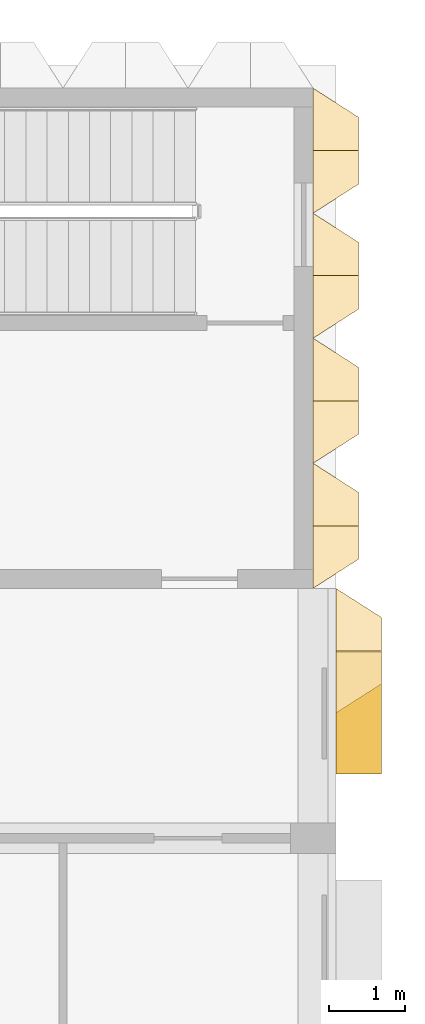
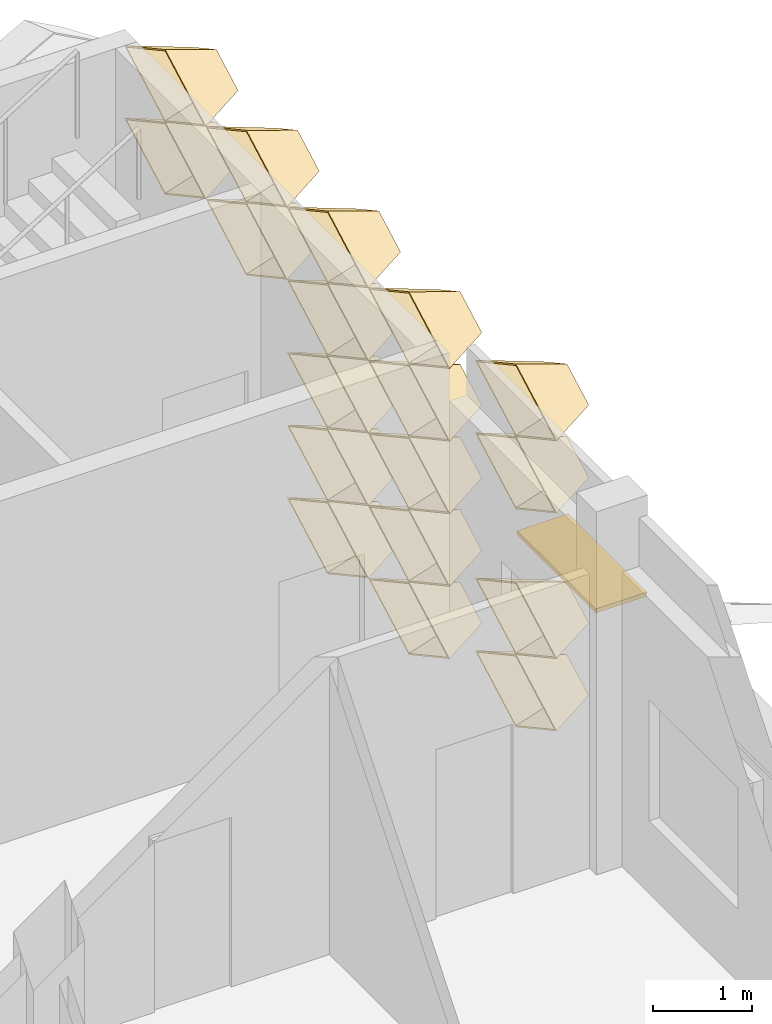
# One storey, part 86 of 87: 18 coverings, 1 shading device.
"""IFC4 building model written with IfcOpenShell, lengths in metres."""

from ifc_helpers import new_model, entity, si_unit, direction, frame, origin, origin_2d, place, context, subcontext, project, spatial, rectangle, extrude, material, layer, layer_set, type_object, element, save


model = new_model("IFC4")

# Units and contexts
model_context = context("Model", 3, precision=1e-05, world=origin(), true_north=direction((0.0, 1.0)))
body_context = subcontext(model_context, "Body", "Model", "MODEL_VIEW")
ifc_project = project(units=[si_unit("LENGTHUNIT", "METRE"), si_unit("AREAUNIT", "SQUARE_METRE"), si_unit("VOLUMEUNIT", "CUBIC_METRE"), si_unit("PLANEANGLEUNIT", "RADIAN"), si_unit("MASSUNIT", "GRAM", prefix="KILO")], contexts=[model_context])

# Site, building, storey
site_placement = place(None, origin())
site = spatial("IfcSite", under=ifc_project, at=site_placement, CompositionType="ELEMENT")
building_placement = place(site_placement, origin())
building = spatial("IfcBuilding", under=site, at=building_placement, Name="Lantern Court Research Institute", CompositionType="ELEMENT")
storey_placement = place(building_placement, frame((0.0, 0.0, 5.39990234375)))
storey = spatial("IfcBuildingStorey", under=building, at=storey_placement, Name="L01", CompositionType="ELEMENT", Elevation=5.39990234375)

# Shading device
ifc_material_1 = material(Name="Aluminium alloy 6063-T6", Category="aluminium")
ifc_layer_1 = layer(ifc_material_1, 0.050048828125)
ifc_layer_set_1 = layer_set([ifc_layer_1], Name="Aluminium alloy 6063-T6")
shading_device_type = type_object("IfcShadingDeviceType", Name="Brise-soleil blade 1600 x 600 x 50 aluminium", PredefinedType="USERDEFINED", material=ifc_layer_set_1)
shading_device_placement = place(storey_placement, frame((79.800048828125, 90.75, 2.39990234375), z_axis=(0.0, 0.0, 1.0), x_axis=(0.0, -1.0, 0.0)))
element("IfcShadingDevice", 1, at=shading_device_placement, inside=storey, type_object=shading_device_type, Name="Brise-soleil blade L01 E", ObjectType="LOUVRE", PredefinedType="USERDEFINED", context=body_context, shape_type="SweptSolid", body=[
    extrude(rectangle(XDim=1.60009765625, YDim=0.60009765625, at=origin_2d()), origin(), (0.0, 0.0, 1.0), 0.050048828125),
])

# Coverings
ifc_material_2 = material(Name="Anodised aluminium", Category="aluminium")
ifc_layer_2 = layer(ifc_material_2, 0.01611328125)
ifc_layer_set_2 = layer_set([ifc_layer_2], Name="Anodised aluminium")
covering_type = type_object("IfcCoveringType", Name="Fin cassette 1650 x 900 x 600 aluminium", PredefinedType="CLADDING", material=ifc_layer_set_2)
covering_1_placement = place(storey_placement, frame((79.199951171875, 93.22509765625, 0.4501953125), z_axis=(1.0, 0.0, 0.0), x_axis=(0.0, 1.0, 0.0)))
cartesian_point_1 = entity("IfcCartesianPoint", [0.824951171875, 0.0])
cartesian_point_2 = entity("IfcCartesianPoint", [0.79150390625, 0.0])
cartesian_point_3 = entity("IfcCartesianPoint", [0.44189453125, 0.0])
cartesian_point_4 = entity("IfcCartesianPoint", [0.43359375, 0.0])
element("IfcCovering", 2, at=covering_1_placement, inside=storey, type_object=covering_type, Name="Fin cassette V6E-L01 1.57", PredefinedType="CLADDING", context=body_context, shape_type="SweptSolid", body=[
    entity("IfcExtrudedAreaSolidTapered", entity("IfcArbitraryProfileDefWithVoids", "AREA", None, entity("IfcPolyline", [cartesian_point_1, entity("IfcCartesianPoint", [0.0, 0.449951171875]), entity("IfcCartesianPoint", [-0.824951171875, 0.0]), entity("IfcCartesianPoint", [0.0, -0.449951171875]), cartesian_point_1]), [entity("IfcPolyline", [cartesian_point_2, entity("IfcCartesianPoint", [0.0, 0.431884765625]), entity("IfcCartesianPoint", [-0.79150390625, 0.0]), entity("IfcCartesianPoint", [0.0, -0.431884765625]), cartesian_point_2])]), entity("IfcAxis2Placement3D", entity("IfcCartesianPoint", [0.0, 0.0, 0.0])), entity("IfcDirection", [0.0, 0.0, 1.0]), 0.60009765625, entity("IfcArbitraryProfileDefWithVoids", "AREA", None, entity("IfcPolyline", [cartesian_point_3, entity("IfcCartesianPoint", [0.0, 0.240966796875]), entity("IfcCartesianPoint", [-0.44189453125, 0.0]), entity("IfcCartesianPoint", [0.0, -0.240966796875]), cartesian_point_3]), [entity("IfcPolyline", [cartesian_point_4, entity("IfcCartesianPoint", [0.0, 0.236572265625]), entity("IfcCartesianPoint", [-0.43359375, 0.0]), entity("IfcCartesianPoint", [0.0, -0.236572265625]), cartesian_point_4])])),
])
covering_2_placement = place(storey_placement, frame((79.199951171875, 94.875, 0.4501953125), z_axis=(1.0, 0.0, 0.0), x_axis=(0.0, 1.0, 0.0)))
cartesian_point_5 = entity("IfcCartesianPoint", [0.824951171875, 0.0])
cartesian_point_6 = entity("IfcCartesianPoint", [0.79150390625, 0.0])
cartesian_point_7 = entity("IfcCartesianPoint", [0.44189453125, 0.0])
cartesian_point_8 = entity("IfcCartesianPoint", [0.43359375, 0.0])
element("IfcCovering", 3, at=covering_2_placement, inside=storey, type_object=covering_type, Name="Fin cassette V6E-L01 1.58", PredefinedType="CLADDING", context=body_context, shape_type="SweptSolid", body=[
    entity("IfcExtrudedAreaSolidTapered", entity("IfcArbitraryProfileDefWithVoids", "AREA", None, entity("IfcPolyline", [cartesian_point_5, entity("IfcCartesianPoint", [0.0, 0.449951171875]), entity("IfcCartesianPoint", [-0.824951171875, 0.0]), entity("IfcCartesianPoint", [0.0, -0.449951171875]), cartesian_point_5]), [entity("IfcPolyline", [cartesian_point_6, entity("IfcCartesianPoint", [0.0, 0.431884765625]), entity("IfcCartesianPoint", [-0.79150390625, 0.0]), entity("IfcCartesianPoint", [0.0, -0.431884765625]), cartesian_point_6])]), entity("IfcAxis2Placement3D", entity("IfcCartesianPoint", [0.0, 0.0, 0.0])), entity("IfcDirection", [0.0, 0.0, 1.0]), 0.60009765625, entity("IfcArbitraryProfileDefWithVoids", "AREA", None, entity("IfcPolyline", [cartesian_point_7, entity("IfcCartesianPoint", [0.0, 0.240966796875]), entity("IfcCartesianPoint", [-0.44189453125, 0.0]), entity("IfcCartesianPoint", [0.0, -0.240966796875]), cartesian_point_7]), [entity("IfcPolyline", [cartesian_point_8, entity("IfcCartesianPoint", [0.0, 0.236572265625]), entity("IfcCartesianPoint", [-0.43359375, 0.0]), entity("IfcCartesianPoint", [0.0, -0.236572265625]), cartesian_point_8])])),
])
covering_3_placement = place(storey_placement, frame((79.199951171875, 93.22509765625, 1.35009765625), z_axis=(1.0, 0.0, 0.0), x_axis=(0.0, 1.0, 0.0)))
cartesian_point_9 = entity("IfcCartesianPoint", [0.824951171875, 0.0])
cartesian_point_10 = entity("IfcCartesianPoint", [0.79150390625, 0.0])
cartesian_point_11 = entity("IfcCartesianPoint", [0.44189453125, 0.0])
cartesian_point_12 = entity("IfcCartesianPoint", [0.43359375, 0.0])
element("IfcCovering", 4, at=covering_3_placement, inside=storey, type_object=covering_type, Name="Fin cassette V6E-L01 2.57", PredefinedType="CLADDING", context=body_context, shape_type="SweptSolid", body=[
    entity("IfcExtrudedAreaSolidTapered", entity("IfcArbitraryProfileDefWithVoids", "AREA", None, entity("IfcPolyline", [cartesian_point_9, entity("IfcCartesianPoint", [0.0, 0.449951171875]), entity("IfcCartesianPoint", [-0.824951171875, 0.0]), entity("IfcCartesianPoint", [0.0, -0.449951171875]), cartesian_point_9]), [entity("IfcPolyline", [cartesian_point_10, entity("IfcCartesianPoint", [0.0, 0.431884765625]), entity("IfcCartesianPoint", [-0.79150390625, 0.0]), entity("IfcCartesianPoint", [0.0, -0.431884765625]), cartesian_point_10])]), entity("IfcAxis2Placement3D", entity("IfcCartesianPoint", [0.0, 0.0, 0.0])), entity("IfcDirection", [0.0, 0.0, 1.0]), 0.60009765625, entity("IfcArbitraryProfileDefWithVoids", "AREA", None, entity("IfcPolyline", [cartesian_point_11, entity("IfcCartesianPoint", [0.0, 0.240966796875]), entity("IfcCartesianPoint", [-0.44189453125, 0.0]), entity("IfcCartesianPoint", [0.0, -0.240966796875]), cartesian_point_11]), [entity("IfcPolyline", [cartesian_point_12, entity("IfcCartesianPoint", [0.0, 0.236572265625]), entity("IfcCartesianPoint", [-0.43359375, 0.0]), entity("IfcCartesianPoint", [0.0, -0.236572265625]), cartesian_point_12])])),
])
covering_4_placement = place(storey_placement, frame((79.199951171875, 94.875, 1.35009765625), z_axis=(1.0, 0.0, 0.0), x_axis=(0.0, 1.0, 0.0)))
cartesian_point_13 = entity("IfcCartesianPoint", [0.824951171875, 0.0])
cartesian_point_14 = entity("IfcCartesianPoint", [0.79150390625, 0.0])
cartesian_point_15 = entity("IfcCartesianPoint", [0.44189453125, 0.0])
cartesian_point_16 = entity("IfcCartesianPoint", [0.43359375, 0.0])
element("IfcCovering", 5, at=covering_4_placement, inside=storey, type_object=covering_type, Name="Fin cassette V6E-L01 2.58", PredefinedType="CLADDING", context=body_context, shape_type="SweptSolid", body=[
    entity("IfcExtrudedAreaSolidTapered", entity("IfcArbitraryProfileDefWithVoids", "AREA", None, entity("IfcPolyline", [cartesian_point_13, entity("IfcCartesianPoint", [0.0, 0.449951171875]), entity("IfcCartesianPoint", [-0.824951171875, 0.0]), entity("IfcCartesianPoint", [0.0, -0.449951171875]), cartesian_point_13]), [entity("IfcPolyline", [cartesian_point_14, entity("IfcCartesianPoint", [0.0, 0.431884765625]), entity("IfcCartesianPoint", [-0.79150390625, 0.0]), entity("IfcCartesianPoint", [0.0, -0.431884765625]), cartesian_point_14])]), entity("IfcAxis2Placement3D", entity("IfcCartesianPoint", [0.0, 0.0, 0.0])), entity("IfcDirection", [0.0, 0.0, 1.0]), 0.60009765625, entity("IfcArbitraryProfileDefWithVoids", "AREA", None, entity("IfcPolyline", [cartesian_point_15, entity("IfcCartesianPoint", [0.0, 0.240966796875]), entity("IfcCartesianPoint", [-0.44189453125, 0.0]), entity("IfcCartesianPoint", [0.0, -0.240966796875]), cartesian_point_15]), [entity("IfcPolyline", [cartesian_point_16, entity("IfcCartesianPoint", [0.0, 0.236572265625]), entity("IfcCartesianPoint", [-0.43359375, 0.0]), entity("IfcCartesianPoint", [0.0, -0.236572265625]), cartesian_point_16])])),
])
covering_5_placement = place(storey_placement, frame((79.199951171875, 93.22509765625, 2.25), z_axis=(1.0, 0.0, 0.0), x_axis=(0.0, 1.0, 0.0)))
cartesian_point_17 = entity("IfcCartesianPoint", [0.824951171875, 0.0])
cartesian_point_18 = entity("IfcCartesianPoint", [0.79150390625, 0.0])
cartesian_point_19 = entity("IfcCartesianPoint", [0.44189453125, 0.0])
cartesian_point_20 = entity("IfcCartesianPoint", [0.43359375, 0.0])
element("IfcCovering", 6, at=covering_5_placement, inside=storey, type_object=covering_type, Name="Fin cassette V6E-L01 3.57", PredefinedType="CLADDING", context=body_context, shape_type="SweptSolid", body=[
    entity("IfcExtrudedAreaSolidTapered", entity("IfcArbitraryProfileDefWithVoids", "AREA", None, entity("IfcPolyline", [cartesian_point_17, entity("IfcCartesianPoint", [0.0, 0.449951171875]), entity("IfcCartesianPoint", [-0.824951171875, 0.0]), entity("IfcCartesianPoint", [0.0, -0.449951171875]), cartesian_point_17]), [entity("IfcPolyline", [cartesian_point_18, entity("IfcCartesianPoint", [0.0, 0.431884765625]), entity("IfcCartesianPoint", [-0.79150390625, 0.0]), entity("IfcCartesianPoint", [0.0, -0.431884765625]), cartesian_point_18])]), entity("IfcAxis2Placement3D", entity("IfcCartesianPoint", [0.0, 0.0, 0.0])), entity("IfcDirection", [0.0, 0.0, 1.0]), 0.60009765625, entity("IfcArbitraryProfileDefWithVoids", "AREA", None, entity("IfcPolyline", [cartesian_point_19, entity("IfcCartesianPoint", [0.0, 0.240966796875]), entity("IfcCartesianPoint", [-0.44189453125, 0.0]), entity("IfcCartesianPoint", [0.0, -0.240966796875]), cartesian_point_19]), [entity("IfcPolyline", [cartesian_point_20, entity("IfcCartesianPoint", [0.0, 0.236572265625]), entity("IfcCartesianPoint", [-0.43359375, 0.0]), entity("IfcCartesianPoint", [0.0, -0.236572265625]), cartesian_point_20])])),
])
covering_6_placement = place(storey_placement, frame((79.199951171875, 94.875, 2.25), z_axis=(1.0, 0.0, 0.0), x_axis=(0.0, 1.0, 0.0)))
cartesian_point_21 = entity("IfcCartesianPoint", [0.824951171875, 0.0])
cartesian_point_22 = entity("IfcCartesianPoint", [0.79150390625, 0.0])
cartesian_point_23 = entity("IfcCartesianPoint", [0.44189453125, 0.0])
cartesian_point_24 = entity("IfcCartesianPoint", [0.43359375, 0.0])
element("IfcCovering", 7, at=covering_6_placement, inside=storey, type_object=covering_type, Name="Fin cassette V6E-L01 3.58", PredefinedType="CLADDING", context=body_context, shape_type="SweptSolid", body=[
    entity("IfcExtrudedAreaSolidTapered", entity("IfcArbitraryProfileDefWithVoids", "AREA", None, entity("IfcPolyline", [cartesian_point_21, entity("IfcCartesianPoint", [0.0, 0.449951171875]), entity("IfcCartesianPoint", [-0.824951171875, 0.0]), entity("IfcCartesianPoint", [0.0, -0.449951171875]), cartesian_point_21]), [entity("IfcPolyline", [cartesian_point_22, entity("IfcCartesianPoint", [0.0, 0.431884765625]), entity("IfcCartesianPoint", [-0.79150390625, 0.0]), entity("IfcCartesianPoint", [0.0, -0.431884765625]), cartesian_point_22])]), entity("IfcAxis2Placement3D", entity("IfcCartesianPoint", [0.0, 0.0, 0.0])), entity("IfcDirection", [0.0, 0.0, 1.0]), 0.60009765625, entity("IfcArbitraryProfileDefWithVoids", "AREA", None, entity("IfcPolyline", [cartesian_point_23, entity("IfcCartesianPoint", [0.0, 0.240966796875]), entity("IfcCartesianPoint", [-0.44189453125, 0.0]), entity("IfcCartesianPoint", [0.0, -0.240966796875]), cartesian_point_23]), [entity("IfcPolyline", [cartesian_point_24, entity("IfcCartesianPoint", [0.0, 0.236572265625]), entity("IfcCartesianPoint", [-0.43359375, 0.0]), entity("IfcCartesianPoint", [0.0, -0.236572265625]), cartesian_point_24])])),
])
covering_7_placement = place(storey_placement, frame((79.199951171875, 93.22509765625, 3.150146484375), z_axis=(1.0, 0.0, 0.0), x_axis=(0.0, 1.0, 0.0)))
cartesian_point_25 = entity("IfcCartesianPoint", [0.824951171875, 0.0])
cartesian_point_26 = entity("IfcCartesianPoint", [0.79150390625, 0.0])
cartesian_point_27 = entity("IfcCartesianPoint", [0.44189453125, 0.0])
cartesian_point_28 = entity("IfcCartesianPoint", [0.43359375, 0.0])
element("IfcCovering", 8, at=covering_7_placement, inside=storey, type_object=covering_type, Name="Fin cassette V6E-L01 4.57", PredefinedType="CLADDING", context=body_context, shape_type="SweptSolid", body=[
    entity("IfcExtrudedAreaSolidTapered", entity("IfcArbitraryProfileDefWithVoids", "AREA", None, entity("IfcPolyline", [cartesian_point_25, entity("IfcCartesianPoint", [0.0, 0.449951171875]), entity("IfcCartesianPoint", [-0.824951171875, 0.0]), entity("IfcCartesianPoint", [0.0, -0.449951171875]), cartesian_point_25]), [entity("IfcPolyline", [cartesian_point_26, entity("IfcCartesianPoint", [0.0, 0.431884765625]), entity("IfcCartesianPoint", [-0.79150390625, 0.0]), entity("IfcCartesianPoint", [0.0, -0.431884765625]), cartesian_point_26])]), entity("IfcAxis2Placement3D", entity("IfcCartesianPoint", [0.0, 0.0, 0.0])), entity("IfcDirection", [0.0, 0.0, 1.0]), 0.60009765625, entity("IfcArbitraryProfileDefWithVoids", "AREA", None, entity("IfcPolyline", [cartesian_point_27, entity("IfcCartesianPoint", [0.0, 0.240966796875]), entity("IfcCartesianPoint", [-0.44189453125, 0.0]), entity("IfcCartesianPoint", [0.0, -0.240966796875]), cartesian_point_27]), [entity("IfcPolyline", [cartesian_point_28, entity("IfcCartesianPoint", [0.0, 0.236572265625]), entity("IfcCartesianPoint", [-0.43359375, 0.0]), entity("IfcCartesianPoint", [0.0, -0.236572265625]), cartesian_point_28])])),
])
covering_8_placement = place(storey_placement, frame((79.199951171875, 94.875, 3.150146484375), z_axis=(1.0, 0.0, 0.0), x_axis=(0.0, 1.0, 0.0)))
cartesian_point_29 = entity("IfcCartesianPoint", [0.824951171875, 0.0])
cartesian_point_30 = entity("IfcCartesianPoint", [0.79150390625, 0.0])
cartesian_point_31 = entity("IfcCartesianPoint", [0.44189453125, 0.0])
cartesian_point_32 = entity("IfcCartesianPoint", [0.43359375, 0.0])
element("IfcCovering", 9, at=covering_8_placement, inside=storey, type_object=covering_type, Name="Fin cassette V6E-L01 4.58", PredefinedType="CLADDING", context=body_context, shape_type="SweptSolid", body=[
    entity("IfcExtrudedAreaSolidTapered", entity("IfcArbitraryProfileDefWithVoids", "AREA", None, entity("IfcPolyline", [cartesian_point_29, entity("IfcCartesianPoint", [0.0, 0.449951171875]), entity("IfcCartesianPoint", [-0.824951171875, 0.0]), entity("IfcCartesianPoint", [0.0, -0.449951171875]), cartesian_point_29]), [entity("IfcPolyline", [cartesian_point_30, entity("IfcCartesianPoint", [0.0, 0.431884765625]), entity("IfcCartesianPoint", [-0.79150390625, 0.0]), entity("IfcCartesianPoint", [0.0, -0.431884765625]), cartesian_point_30])]), entity("IfcAxis2Placement3D", entity("IfcCartesianPoint", [0.0, 0.0, 0.0])), entity("IfcDirection", [0.0, 0.0, 1.0]), 0.60009765625, entity("IfcArbitraryProfileDefWithVoids", "AREA", None, entity("IfcPolyline", [cartesian_point_31, entity("IfcCartesianPoint", [0.0, 0.240966796875]), entity("IfcCartesianPoint", [-0.44189453125, 0.0]), entity("IfcCartesianPoint", [0.0, -0.240966796875]), cartesian_point_31]), [entity("IfcPolyline", [cartesian_point_32, entity("IfcCartesianPoint", [0.0, 0.236572265625]), entity("IfcCartesianPoint", [-0.43359375, 0.0]), entity("IfcCartesianPoint", [0.0, -0.236572265625]), cartesian_point_32])])),
])
covering_9_placement = place(storey_placement, frame((79.199951171875, 96.52490234375, 3.150146484375), z_axis=(1.0, 0.0, 0.0), x_axis=(0.0, 1.0, 0.0)))
cartesian_point_33 = entity("IfcCartesianPoint", [0.824951171875, 0.0])
cartesian_point_34 = entity("IfcCartesianPoint", [0.79150390625, 0.0])
cartesian_point_35 = entity("IfcCartesianPoint", [0.44189453125, 0.0])
cartesian_point_36 = entity("IfcCartesianPoint", [0.43359375, 0.0])
element("IfcCovering", 10, at=covering_9_placement, inside=storey, type_object=covering_type, Name="Fin cassette V6E-L01 4.59", PredefinedType="CLADDING", context=body_context, shape_type="SweptSolid", body=[
    entity("IfcExtrudedAreaSolidTapered", entity("IfcArbitraryProfileDefWithVoids", "AREA", None, entity("IfcPolyline", [cartesian_point_33, entity("IfcCartesianPoint", [0.0, 0.449951171875]), entity("IfcCartesianPoint", [-0.824951171875, 0.0]), entity("IfcCartesianPoint", [0.0, -0.449951171875]), cartesian_point_33]), [entity("IfcPolyline", [cartesian_point_34, entity("IfcCartesianPoint", [0.0, 0.431884765625]), entity("IfcCartesianPoint", [-0.79150390625, 0.0]), entity("IfcCartesianPoint", [0.0, -0.431884765625]), cartesian_point_34])]), entity("IfcAxis2Placement3D", entity("IfcCartesianPoint", [0.0, 0.0, 0.0])), entity("IfcDirection", [0.0, 0.0, 1.0]), 0.60009765625, entity("IfcArbitraryProfileDefWithVoids", "AREA", None, entity("IfcPolyline", [cartesian_point_35, entity("IfcCartesianPoint", [0.0, 0.240966796875]), entity("IfcCartesianPoint", [-0.44189453125, 0.0]), entity("IfcCartesianPoint", [0.0, -0.240966796875]), cartesian_point_35]), [entity("IfcPolyline", [cartesian_point_36, entity("IfcCartesianPoint", [0.0, 0.236572265625]), entity("IfcCartesianPoint", [-0.43359375, 0.0]), entity("IfcCartesianPoint", [0.0, -0.236572265625]), cartesian_point_36])])),
])
covering_10_placement = place(storey_placement, frame((79.199951171875, 98.175048828125, 3.150146484375), z_axis=(1.0, 0.0, 0.0), x_axis=(0.0, 1.0, 0.0)))
cartesian_point_37 = entity("IfcCartesianPoint", [0.824951171875, 0.0])
cartesian_point_38 = entity("IfcCartesianPoint", [0.79150390625, 0.0])
cartesian_point_39 = entity("IfcCartesianPoint", [0.44189453125, 0.0])
cartesian_point_40 = entity("IfcCartesianPoint", [0.43359375, 0.0])
element("IfcCovering", 11, at=covering_10_placement, inside=storey, type_object=covering_type, Name="Fin cassette V6E-L01 4.60", PredefinedType="CLADDING", context=body_context, shape_type="SweptSolid", body=[
    entity("IfcExtrudedAreaSolidTapered", entity("IfcArbitraryProfileDefWithVoids", "AREA", None, entity("IfcPolyline", [cartesian_point_37, entity("IfcCartesianPoint", [0.0, 0.449951171875]), entity("IfcCartesianPoint", [-0.824951171875, 0.0]), entity("IfcCartesianPoint", [0.0, -0.449951171875]), cartesian_point_37]), [entity("IfcPolyline", [cartesian_point_38, entity("IfcCartesianPoint", [0.0, 0.431884765625]), entity("IfcCartesianPoint", [-0.79150390625, 0.0]), entity("IfcCartesianPoint", [0.0, -0.431884765625]), cartesian_point_38])]), entity("IfcAxis2Placement3D", entity("IfcCartesianPoint", [0.0, 0.0, 0.0])), entity("IfcDirection", [0.0, 0.0, 1.0]), 0.60009765625, entity("IfcArbitraryProfileDefWithVoids", "AREA", None, entity("IfcPolyline", [cartesian_point_39, entity("IfcCartesianPoint", [0.0, 0.240966796875]), entity("IfcCartesianPoint", [-0.44189453125, 0.0]), entity("IfcCartesianPoint", [0.0, -0.240966796875]), cartesian_point_39]), [entity("IfcPolyline", [cartesian_point_40, entity("IfcCartesianPoint", [0.0, 0.236572265625]), entity("IfcCartesianPoint", [-0.43359375, 0.0]), entity("IfcCartesianPoint", [0.0, -0.236572265625]), cartesian_point_40])])),
])
covering_11_placement = place(storey_placement, frame((79.199951171875, 93.22509765625, 4.050048828125), z_axis=(1.0, 0.0, 0.0), x_axis=(0.0, 1.0, 0.0)))
cartesian_point_41 = entity("IfcCartesianPoint", [0.824951171875, 0.0])
cartesian_point_42 = entity("IfcCartesianPoint", [0.79150390625, 0.0])
cartesian_point_43 = entity("IfcCartesianPoint", [0.44189453125, 0.0])
cartesian_point_44 = entity("IfcCartesianPoint", [0.43359375, 0.0])
element("IfcCovering", 12, at=covering_11_placement, inside=storey, type_object=covering_type, Name="Fin cassette V6E-L01 5.57", PredefinedType="CLADDING", context=body_context, shape_type="SweptSolid", body=[
    entity("IfcExtrudedAreaSolidTapered", entity("IfcArbitraryProfileDefWithVoids", "AREA", None, entity("IfcPolyline", [cartesian_point_41, entity("IfcCartesianPoint", [0.0, 0.449951171875]), entity("IfcCartesianPoint", [-0.824951171875, 0.0]), entity("IfcCartesianPoint", [0.0, -0.449951171875]), cartesian_point_41]), [entity("IfcPolyline", [cartesian_point_42, entity("IfcCartesianPoint", [0.0, 0.431884765625]), entity("IfcCartesianPoint", [-0.79150390625, 0.0]), entity("IfcCartesianPoint", [0.0, -0.431884765625]), cartesian_point_42])]), entity("IfcAxis2Placement3D", entity("IfcCartesianPoint", [0.0, 0.0, 0.0])), entity("IfcDirection", [0.0, 0.0, 1.0]), 0.60009765625, entity("IfcArbitraryProfileDefWithVoids", "AREA", None, entity("IfcPolyline", [cartesian_point_43, entity("IfcCartesianPoint", [0.0, 0.240966796875]), entity("IfcCartesianPoint", [-0.44189453125, 0.0]), entity("IfcCartesianPoint", [0.0, -0.240966796875]), cartesian_point_43]), [entity("IfcPolyline", [cartesian_point_44, entity("IfcCartesianPoint", [0.0, 0.236572265625]), entity("IfcCartesianPoint", [-0.43359375, 0.0]), entity("IfcCartesianPoint", [0.0, -0.236572265625]), cartesian_point_44])])),
])
covering_12_placement = place(storey_placement, frame((79.199951171875, 94.875, 4.050048828125), z_axis=(1.0, 0.0, 0.0), x_axis=(0.0, 1.0, 0.0)))
cartesian_point_45 = entity("IfcCartesianPoint", [0.824951171875, 0.0])
cartesian_point_46 = entity("IfcCartesianPoint", [0.79150390625, 0.0])
cartesian_point_47 = entity("IfcCartesianPoint", [0.44189453125, 0.0])
cartesian_point_48 = entity("IfcCartesianPoint", [0.43359375, 0.0])
element("IfcCovering", 13, at=covering_12_placement, inside=storey, type_object=covering_type, Name="Fin cassette V6E-L01 5.58", PredefinedType="CLADDING", context=body_context, shape_type="SweptSolid", body=[
    entity("IfcExtrudedAreaSolidTapered", entity("IfcArbitraryProfileDefWithVoids", "AREA", None, entity("IfcPolyline", [cartesian_point_45, entity("IfcCartesianPoint", [0.0, 0.449951171875]), entity("IfcCartesianPoint", [-0.824951171875, 0.0]), entity("IfcCartesianPoint", [0.0, -0.449951171875]), cartesian_point_45]), [entity("IfcPolyline", [cartesian_point_46, entity("IfcCartesianPoint", [0.0, 0.431884765625]), entity("IfcCartesianPoint", [-0.79150390625, 0.0]), entity("IfcCartesianPoint", [0.0, -0.431884765625]), cartesian_point_46])]), entity("IfcAxis2Placement3D", entity("IfcCartesianPoint", [0.0, 0.0, 0.0])), entity("IfcDirection", [0.0, 0.0, 1.0]), 0.60009765625, entity("IfcArbitraryProfileDefWithVoids", "AREA", None, entity("IfcPolyline", [cartesian_point_47, entity("IfcCartesianPoint", [0.0, 0.240966796875]), entity("IfcCartesianPoint", [-0.44189453125, 0.0]), entity("IfcCartesianPoint", [0.0, -0.240966796875]), cartesian_point_47]), [entity("IfcPolyline", [cartesian_point_48, entity("IfcCartesianPoint", [0.0, 0.236572265625]), entity("IfcCartesianPoint", [-0.43359375, 0.0]), entity("IfcCartesianPoint", [0.0, -0.236572265625]), cartesian_point_48])])),
])
covering_13_placement = place(storey_placement, frame((79.199951171875, 96.52490234375, 4.050048828125), z_axis=(1.0, 0.0, 0.0), x_axis=(0.0, 1.0, 0.0)))
cartesian_point_49 = entity("IfcCartesianPoint", [0.824951171875, 0.0])
cartesian_point_50 = entity("IfcCartesianPoint", [0.79150390625, 0.0])
cartesian_point_51 = entity("IfcCartesianPoint", [0.44189453125, 0.0])
cartesian_point_52 = entity("IfcCartesianPoint", [0.43359375, 0.0])
element("IfcCovering", 14, at=covering_13_placement, inside=storey, type_object=covering_type, Name="Fin cassette V6E-L01 5.59", PredefinedType="CLADDING", context=body_context, shape_type="SweptSolid", body=[
    entity("IfcExtrudedAreaSolidTapered", entity("IfcArbitraryProfileDefWithVoids", "AREA", None, entity("IfcPolyline", [cartesian_point_49, entity("IfcCartesianPoint", [0.0, 0.449951171875]), entity("IfcCartesianPoint", [-0.824951171875, 0.0]), entity("IfcCartesianPoint", [0.0, -0.449951171875]), cartesian_point_49]), [entity("IfcPolyline", [cartesian_point_50, entity("IfcCartesianPoint", [0.0, 0.431884765625]), entity("IfcCartesianPoint", [-0.79150390625, 0.0]), entity("IfcCartesianPoint", [0.0, -0.431884765625]), cartesian_point_50])]), entity("IfcAxis2Placement3D", entity("IfcCartesianPoint", [0.0, 0.0, 0.0])), entity("IfcDirection", [0.0, 0.0, 1.0]), 0.60009765625, entity("IfcArbitraryProfileDefWithVoids", "AREA", None, entity("IfcPolyline", [cartesian_point_51, entity("IfcCartesianPoint", [0.0, 0.240966796875]), entity("IfcCartesianPoint", [-0.44189453125, 0.0]), entity("IfcCartesianPoint", [0.0, -0.240966796875]), cartesian_point_51]), [entity("IfcPolyline", [cartesian_point_52, entity("IfcCartesianPoint", [0.0, 0.236572265625]), entity("IfcCartesianPoint", [-0.43359375, 0.0]), entity("IfcCartesianPoint", [0.0, -0.236572265625]), cartesian_point_52])])),
])
covering_14_placement = place(storey_placement, frame((79.199951171875, 98.175048828125, 4.050048828125), z_axis=(1.0, 0.0, 0.0), x_axis=(0.0, 1.0, 0.0)))
cartesian_point_53 = entity("IfcCartesianPoint", [0.824951171875, 0.0])
cartesian_point_54 = entity("IfcCartesianPoint", [0.79150390625, 0.0])
cartesian_point_55 = entity("IfcCartesianPoint", [0.44189453125, 0.0])
cartesian_point_56 = entity("IfcCartesianPoint", [0.43359375, 0.0])
element("IfcCovering", 15, at=covering_14_placement, inside=storey, type_object=covering_type, Name="Fin cassette V6E-L01 5.60", PredefinedType="CLADDING", context=body_context, shape_type="SweptSolid", body=[
    entity("IfcExtrudedAreaSolidTapered", entity("IfcArbitraryProfileDefWithVoids", "AREA", None, entity("IfcPolyline", [cartesian_point_53, entity("IfcCartesianPoint", [0.0, 0.449951171875]), entity("IfcCartesianPoint", [-0.824951171875, 0.0]), entity("IfcCartesianPoint", [0.0, -0.449951171875]), cartesian_point_53]), [entity("IfcPolyline", [cartesian_point_54, entity("IfcCartesianPoint", [0.0, 0.431884765625]), entity("IfcCartesianPoint", [-0.79150390625, 0.0]), entity("IfcCartesianPoint", [0.0, -0.431884765625]), cartesian_point_54])]), entity("IfcAxis2Placement3D", entity("IfcCartesianPoint", [0.0, 0.0, 0.0])), entity("IfcDirection", [0.0, 0.0, 1.0]), 0.60009765625, entity("IfcArbitraryProfileDefWithVoids", "AREA", None, entity("IfcPolyline", [cartesian_point_55, entity("IfcCartesianPoint", [0.0, 0.240966796875]), entity("IfcCartesianPoint", [-0.44189453125, 0.0]), entity("IfcCartesianPoint", [0.0, -0.240966796875]), cartesian_point_55]), [entity("IfcPolyline", [cartesian_point_56, entity("IfcCartesianPoint", [0.0, 0.236572265625]), entity("IfcCartesianPoint", [-0.43359375, 0.0]), entity("IfcCartesianPoint", [0.0, -0.236572265625]), cartesian_point_56])])),
])
covering_15_placement = place(storey_placement, frame((79.5, 91.574951171875, 0.4501953125), z_axis=(1.0, 0.0, 0.0), x_axis=(0.0, 1.0, 0.0)))
cartesian_point_57 = entity("IfcCartesianPoint", [0.824951171875, 0.0])
cartesian_point_58 = entity("IfcCartesianPoint", [0.79150390625, 0.0])
cartesian_point_59 = entity("IfcCartesianPoint", [0.44189453125, 0.0])
cartesian_point_60 = entity("IfcCartesianPoint", [0.43359375, 0.0])
element("IfcCovering", 16, at=covering_15_placement, inside=storey, type_object=covering_type, Name="Fin cassette V6E-L01 1.56", PredefinedType="CLADDING", context=body_context, shape_type="SweptSolid", body=[
    entity("IfcExtrudedAreaSolidTapered", entity("IfcArbitraryProfileDefWithVoids", "AREA", None, entity("IfcPolyline", [cartesian_point_57, entity("IfcCartesianPoint", [0.0, 0.449951171875]), entity("IfcCartesianPoint", [-0.824951171875, 0.0]), entity("IfcCartesianPoint", [0.0, -0.449951171875]), cartesian_point_57]), [entity("IfcPolyline", [cartesian_point_58, entity("IfcCartesianPoint", [0.0, 0.431884765625]), entity("IfcCartesianPoint", [-0.79150390625, 0.0]), entity("IfcCartesianPoint", [0.0, -0.431884765625]), cartesian_point_58])]), entity("IfcAxis2Placement3D", entity("IfcCartesianPoint", [0.0, 0.0, 0.0])), entity("IfcDirection", [0.0, 0.0, 1.0]), 0.60009765625, entity("IfcArbitraryProfileDefWithVoids", "AREA", None, entity("IfcPolyline", [cartesian_point_59, entity("IfcCartesianPoint", [0.0, 0.240966796875]), entity("IfcCartesianPoint", [-0.44189453125, 0.0]), entity("IfcCartesianPoint", [0.0, -0.240966796875]), cartesian_point_59]), [entity("IfcPolyline", [cartesian_point_60, entity("IfcCartesianPoint", [0.0, 0.236572265625]), entity("IfcCartesianPoint", [-0.43359375, 0.0]), entity("IfcCartesianPoint", [0.0, -0.236572265625]), cartesian_point_60])])),
])
covering_16_placement = place(storey_placement, frame((79.5, 91.574951171875, 1.35009765625), z_axis=(1.0, 0.0, 0.0), x_axis=(0.0, 1.0, 0.0)))
cartesian_point_61 = entity("IfcCartesianPoint", [0.824951171875, 0.0])
cartesian_point_62 = entity("IfcCartesianPoint", [0.79150390625, 0.0])
cartesian_point_63 = entity("IfcCartesianPoint", [0.44189453125, 0.0])
cartesian_point_64 = entity("IfcCartesianPoint", [0.43359375, 0.0])
element("IfcCovering", 17, at=covering_16_placement, inside=storey, type_object=covering_type, Name="Fin cassette V6E-L01 2.56", PredefinedType="CLADDING", context=body_context, shape_type="SweptSolid", body=[
    entity("IfcExtrudedAreaSolidTapered", entity("IfcArbitraryProfileDefWithVoids", "AREA", None, entity("IfcPolyline", [cartesian_point_61, entity("IfcCartesianPoint", [0.0, 0.449951171875]), entity("IfcCartesianPoint", [-0.824951171875, 0.0]), entity("IfcCartesianPoint", [0.0, -0.449951171875]), cartesian_point_61]), [entity("IfcPolyline", [cartesian_point_62, entity("IfcCartesianPoint", [0.0, 0.431884765625]), entity("IfcCartesianPoint", [-0.79150390625, 0.0]), entity("IfcCartesianPoint", [0.0, -0.431884765625]), cartesian_point_62])]), entity("IfcAxis2Placement3D", entity("IfcCartesianPoint", [0.0, 0.0, 0.0])), entity("IfcDirection", [0.0, 0.0, 1.0]), 0.60009765625, entity("IfcArbitraryProfileDefWithVoids", "AREA", None, entity("IfcPolyline", [cartesian_point_63, entity("IfcCartesianPoint", [0.0, 0.240966796875]), entity("IfcCartesianPoint", [-0.44189453125, 0.0]), entity("IfcCartesianPoint", [0.0, -0.240966796875]), cartesian_point_63]), [entity("IfcPolyline", [cartesian_point_64, entity("IfcCartesianPoint", [0.0, 0.236572265625]), entity("IfcCartesianPoint", [-0.43359375, 0.0]), entity("IfcCartesianPoint", [0.0, -0.236572265625]), cartesian_point_64])])),
])
covering_17_placement = place(storey_placement, frame((79.5, 91.574951171875, 3.150146484375), z_axis=(1.0, 0.0, 0.0), x_axis=(0.0, 1.0, 0.0)))
cartesian_point_65 = entity("IfcCartesianPoint", [0.824951171875, 0.0])
cartesian_point_66 = entity("IfcCartesianPoint", [0.79150390625, 0.0])
cartesian_point_67 = entity("IfcCartesianPoint", [0.44189453125, 0.0])
cartesian_point_68 = entity("IfcCartesianPoint", [0.43359375, 0.0])
element("IfcCovering", 18, at=covering_17_placement, inside=storey, type_object=covering_type, Name="Fin cassette V6E-L01 4.56", PredefinedType="CLADDING", context=body_context, shape_type="SweptSolid", body=[
    entity("IfcExtrudedAreaSolidTapered", entity("IfcArbitraryProfileDefWithVoids", "AREA", None, entity("IfcPolyline", [cartesian_point_65, entity("IfcCartesianPoint", [0.0, 0.449951171875]), entity("IfcCartesianPoint", [-0.824951171875, 0.0]), entity("IfcCartesianPoint", [0.0, -0.449951171875]), cartesian_point_65]), [entity("IfcPolyline", [cartesian_point_66, entity("IfcCartesianPoint", [0.0, 0.431884765625]), entity("IfcCartesianPoint", [-0.79150390625, 0.0]), entity("IfcCartesianPoint", [0.0, -0.431884765625]), cartesian_point_66])]), entity("IfcAxis2Placement3D", entity("IfcCartesianPoint", [0.0, 0.0, 0.0])), entity("IfcDirection", [0.0, 0.0, 1.0]), 0.60009765625, entity("IfcArbitraryProfileDefWithVoids", "AREA", None, entity("IfcPolyline", [cartesian_point_67, entity("IfcCartesianPoint", [0.0, 0.240966796875]), entity("IfcCartesianPoint", [-0.44189453125, 0.0]), entity("IfcCartesianPoint", [0.0, -0.240966796875]), cartesian_point_67]), [entity("IfcPolyline", [cartesian_point_68, entity("IfcCartesianPoint", [0.0, 0.236572265625]), entity("IfcCartesianPoint", [-0.43359375, 0.0]), entity("IfcCartesianPoint", [0.0, -0.236572265625]), cartesian_point_68])])),
])
covering_18_placement = place(storey_placement, frame((79.5, 91.574951171875, 4.050048828125), z_axis=(1.0, 0.0, 0.0), x_axis=(0.0, 1.0, 0.0)))
cartesian_point_69 = entity("IfcCartesianPoint", [0.824951171875, 0.0])
cartesian_point_70 = entity("IfcCartesianPoint", [0.79150390625, 0.0])
cartesian_point_71 = entity("IfcCartesianPoint", [0.44189453125, 0.0])
cartesian_point_72 = entity("IfcCartesianPoint", [0.43359375, 0.0])
element("IfcCovering", 19, at=covering_18_placement, inside=storey, type_object=covering_type, Name="Fin cassette V6E-L01 5.56", PredefinedType="CLADDING", context=body_context, shape_type="SweptSolid", body=[
    entity("IfcExtrudedAreaSolidTapered", entity("IfcArbitraryProfileDefWithVoids", "AREA", None, entity("IfcPolyline", [cartesian_point_69, entity("IfcCartesianPoint", [0.0, 0.449951171875]), entity("IfcCartesianPoint", [-0.824951171875, 0.0]), entity("IfcCartesianPoint", [0.0, -0.449951171875]), cartesian_point_69]), [entity("IfcPolyline", [cartesian_point_70, entity("IfcCartesianPoint", [0.0, 0.431884765625]), entity("IfcCartesianPoint", [-0.79150390625, 0.0]), entity("IfcCartesianPoint", [0.0, -0.431884765625]), cartesian_point_70])]), entity("IfcAxis2Placement3D", entity("IfcCartesianPoint", [0.0, 0.0, 0.0])), entity("IfcDirection", [0.0, 0.0, 1.0]), 0.60009765625, entity("IfcArbitraryProfileDefWithVoids", "AREA", None, entity("IfcPolyline", [cartesian_point_71, entity("IfcCartesianPoint", [0.0, 0.240966796875]), entity("IfcCartesianPoint", [-0.44189453125, 0.0]), entity("IfcCartesianPoint", [0.0, -0.240966796875]), cartesian_point_71]), [entity("IfcPolyline", [cartesian_point_72, entity("IfcCartesianPoint", [0.0, 0.236572265625]), entity("IfcCartesianPoint", [-0.43359375, 0.0]), entity("IfcCartesianPoint", [0.0, -0.236572265625]), cartesian_point_72])])),
])

save(model, "model.ifc")
